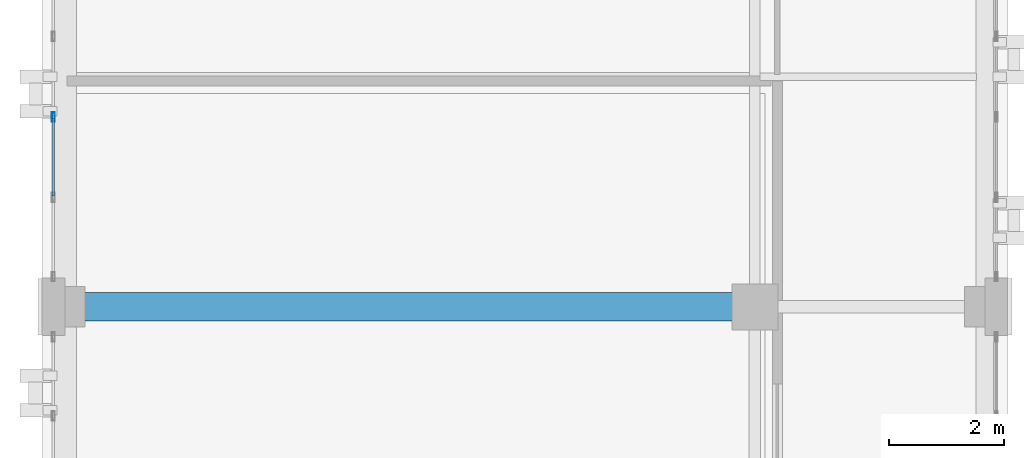
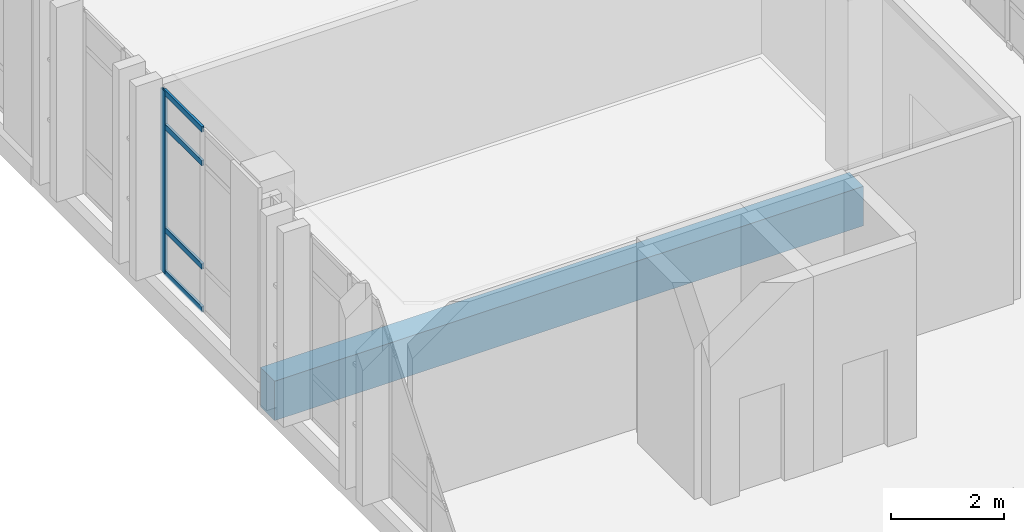
# One storey, part 35 of 158: 5 members, 1 beam, 1 element without a shape of its own.
"""IFC4 building model written with IfcOpenShell, lengths in metres."""

from ifc_helpers import new_model, si_unit, direction, frame, origin, origin_2d, place, context, subcontext, project, spatial, rectangle, hollow_rectangle, extrude, material, layer, layer_set, material_profile, profile_set, type_object, element, aggregate, save


model = new_model("IFC4")

# Units and contexts
model_context = context("Model", 3, precision=1e-05, world=origin(), true_north=direction((0.0, 1.0)))
body_context = subcontext(model_context, "Body", "Model", "MODEL_VIEW")
ifc_project = project(units=[si_unit("LENGTHUNIT", "METRE"), si_unit("AREAUNIT", "SQUARE_METRE"), si_unit("VOLUMEUNIT", "CUBIC_METRE"), si_unit("PLANEANGLEUNIT", "RADIAN"), si_unit("MASSUNIT", "GRAM", prefix="KILO")], contexts=[model_context])

# Site, building, storey
site_placement = place(None, origin())
site = spatial("IfcSite", under=ifc_project, at=site_placement, CompositionType="ELEMENT")
building_placement = place(site_placement, origin())
building = spatial("IfcBuilding", under=site, at=building_placement, Name="Qalavern Law Courts", CompositionType="ELEMENT")
storey_placement = place(building_placement, frame((0.0, 0.0, 18.60009765625)))
storey = spatial("IfcBuildingStorey", under=building, at=storey_placement, Name="L04", CompositionType="ELEMENT", Elevation=18.60009765625)

# Curtain wall, members
ifc_material_1 = material(Name="Anodised aluminium and insulated glazing", Category="aluminium")
ifc_layer = layer(ifc_material_1, 0.159912109375)
ifc_layer_set = layer_set([ifc_layer], Name="Anodised aluminium and insulated glazing")
curtain_wall_type = type_object("IfcCurtainWallType", Name="ENV-CW-CHAMB", PredefinedType="USERDEFINED", material=ifc_layer_set)
curtain_wall_placement = place(storey_placement, origin())
curtain_wall = element("IfcCurtainWall", 1, at=curtain_wall_placement, inside=storey, type_object=curtain_wall_type, Name="V3 unitised curtain wall L04 west 5", ObjectType="UNITISED CURTAIN WALL", PredefinedType="USERDEFINED")
ifc_material_2 = material(Name="Anodised aluminium", Category="aluminium")
ifc_material_profile_1 = material_profile(ifc_material_2, hollow_rectangle(XDim=0.048095703125, YDim=0.159912109375, WallThickness=0.00390625, at=origin_2d()), Name="ALU MULLION 48x160")
ifc_profile_set_1 = profile_set([ifc_material_profile_1], Name="Anodised aluminium")
member_type_1 = type_object("IfcMemberType", Name="ENV-CWM-48x160", PredefinedType="MULLION", material=ifc_profile_set_1)
member_1_placement = place(storey_placement, frame((2.199951171875, 60.699951171875, 0.0), z_axis=(0.0, 0.0, 1.0), x_axis=(1.0, 0.0, 0.0)))
member_1 = element("IfcMember", 2, at=member_1_placement, type_object=member_type_1, Name="CW-04 mullion 4", PredefinedType="MULLION", context=body_context, shape_type="SweptSolid", body=[
    extrude(hollow_rectangle(XDim=0.048095703125, YDim=0.159912109375, WallThickness=0.00390625, at=origin_2d()), origin(), (0.0, 0.0, 1.0), 3.9248046875),
])
ifc_material_profile_2 = material_profile(ifc_material_2, hollow_rectangle(XDim=0.048095703125, YDim=0.1201171875, WallThickness=0.00390625, at=origin_2d()), Name="ALU TRANSOM 48x120")
ifc_profile_set_2 = profile_set([ifc_material_profile_2], Name="Anodised aluminium")
member_type_2 = type_object("IfcMemberType", Name="ENV-CWT-48x120", PredefinedType="USERDEFINED", material=ifc_profile_set_2)
member_2_placement = place(storey_placement, frame((2.199951171875, 60.676025390625, 0.02392578125), z_axis=(0.0, -1.0, 0.0), x_axis=(1.0, 0.0, 0.0)))
member_2 = element("IfcMember", 3, at=member_2_placement, type_object=member_type_2, Name="CW-04 transom 4.1", ObjectType="TRANSOM", PredefinedType="USERDEFINED", context=body_context, shape_type="SweptSolid", body=[
    extrude(hollow_rectangle(XDim=0.048095703125, YDim=0.1201171875, WallThickness=0.00390625, at=origin_2d()), origin(), (0.0, 0.0, 1.0), 1.35205078125),
])
member_3_placement = place(storey_placement, frame((2.199951171875, 60.676025390625, 0.949951171875), z_axis=(0.0, -1.0, 0.0), x_axis=(1.0, 0.0, 0.0)))
member_3 = element("IfcMember", 4, at=member_3_placement, type_object=member_type_2, Name="CW-04 transom 4.2", ObjectType="TRANSOM", PredefinedType="USERDEFINED", context=body_context, shape_type="SweptSolid", body=[
    extrude(hollow_rectangle(XDim=0.048095703125, YDim=0.1201171875, WallThickness=0.00390625, at=origin_2d()), origin(), (0.0, 0.0, 1.0), 1.35205078125),
])
member_4_placement = place(storey_placement, frame((2.199951171875, 60.676025390625, 3.1748046875), z_axis=(0.0, -1.0, 0.0), x_axis=(1.0, 0.0, 0.0)))
member_4 = element("IfcMember", 5, at=member_4_placement, type_object=member_type_2, Name="CW-04 transom 4.3", ObjectType="TRANSOM", PredefinedType="USERDEFINED", context=body_context, shape_type="SweptSolid", body=[
    extrude(hollow_rectangle(XDim=0.048095703125, YDim=0.1201171875, WallThickness=0.00390625, at=origin_2d()), origin(), (0.0, 0.0, 1.0), 1.35205078125),
])
member_5_placement = place(storey_placement, frame((2.199951171875, 60.676025390625, 3.90087890625), z_axis=(0.0, -1.0, 0.0), x_axis=(1.0, 0.0, 0.0)))
member_5 = element("IfcMember", 6, at=member_5_placement, type_object=member_type_2, Name="CW-04 transom 4.4", ObjectType="TRANSOM", PredefinedType="USERDEFINED", context=body_context, shape_type="SweptSolid", body=[
    extrude(hollow_rectangle(XDim=0.048095703125, YDim=0.1201171875, WallThickness=0.00390625, at=origin_2d()), origin(), (0.0, 0.0, 1.0), 1.35205078125),
])
aggregate(curtain_wall, [member_1, member_2, member_3, member_4, member_5])

# Beam
ifc_material_3 = material(Name="Concrete C40/50", Category="concrete")
ifc_material_profile_3 = material_profile(ifc_material_3, rectangle(XDim=0.5, YDim=0.85009765625, at=origin_2d()), Name="RC 500x850")
ifc_profile_set_3 = profile_set([ifc_material_profile_3], Name="Concrete C40/50")
beam_type = type_object("IfcBeamType", Name="STR-BM-RC500x850", PredefinedType="BEAM", material=ifc_profile_set_3)
beam_placement = place(storey_placement, frame((2.39990234375, 57.39990234375, -0.705078125), z_axis=(1.0, 0.0, 0.0), x_axis=(0.0, 1.0, 0.0)))
element("IfcBeam", 7, at=beam_placement, inside=storey, type_object=beam_type, Name="V3 X-beam 3-1 L04", PredefinedType="BEAM", context=body_context, shape_type="SweptSolid", body=[
    extrude(rectangle(XDim=0.5, YDim=0.85009765625, at=origin_2d()), origin(), (0.0, 0.0, 1.0), 12.0),
])

save(model, "model.ifc")
